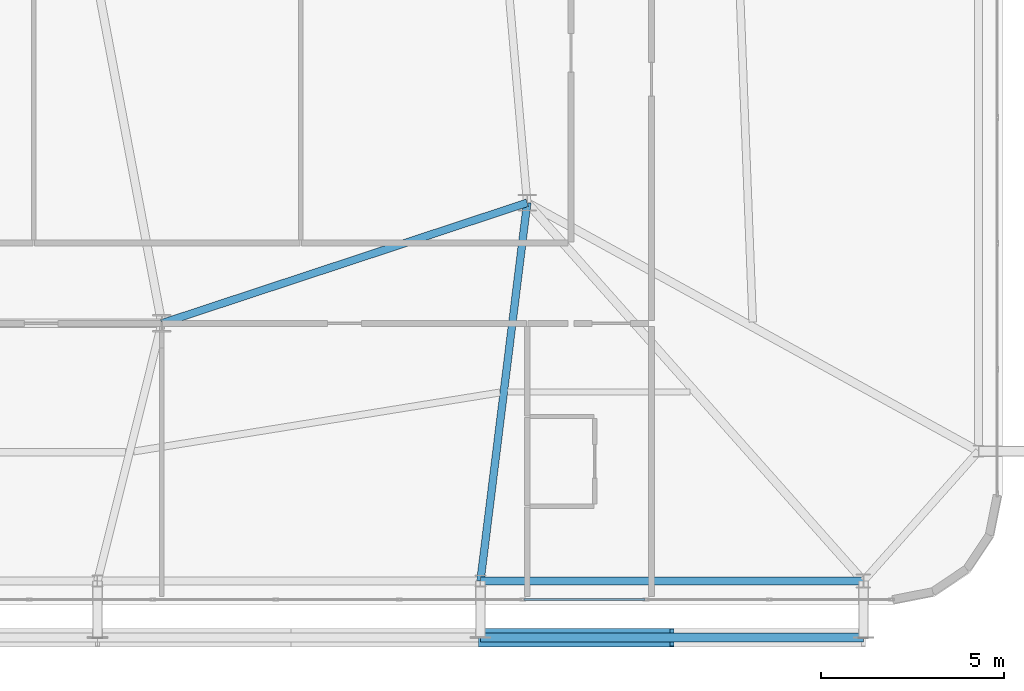
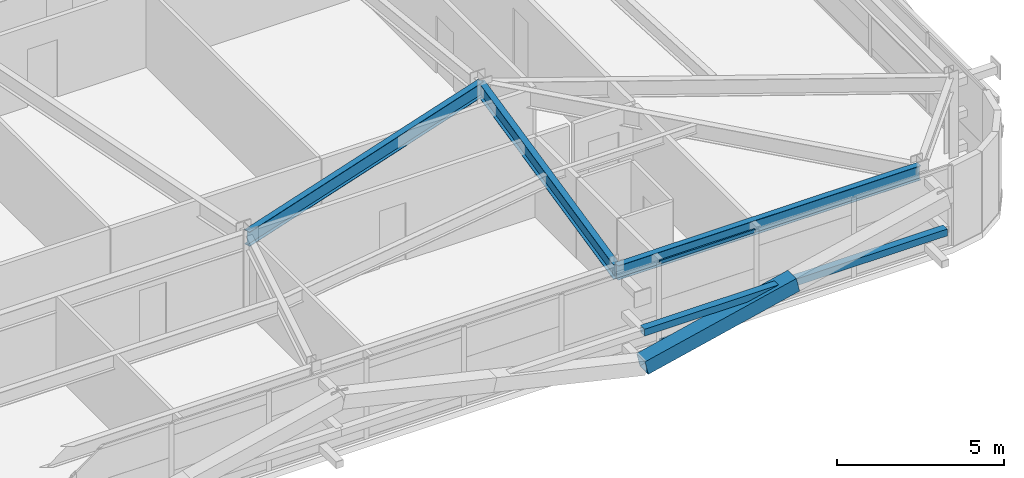
# One storey, part 22 of 58: 4 members, 3 beams, 1 element without a shape of its own.
"""IFC4 building model written with IfcOpenShell, lengths in metres."""

from ifc_helpers import new_model, si_unit, direction, frame, origin, origin_2d, place, context, subcontext, project, spatial, hollow_rectangle, i_section, extrude, source, transform, mapped, material, layer, layer_set, material_profile, profile_set, type_object, element, aggregate, save


model = new_model("IFC4")

# Units and contexts
model_context = context("Model", 3, precision=1e-05, world=origin(), true_north=direction((0.0, 1.0)))
body_context = subcontext(model_context, "Body", "Model", "MODEL_VIEW")
ifc_project = project(units=[si_unit("LENGTHUNIT", "METRE"), si_unit("AREAUNIT", "SQUARE_METRE"), si_unit("VOLUMEUNIT", "CUBIC_METRE"), si_unit("PLANEANGLEUNIT", "RADIAN"), si_unit("MASSUNIT", "GRAM", prefix="KILO")], contexts=[model_context])

# Site, building, storey
site_placement = place(None, origin())
site = spatial("IfcSite", under=ifc_project, at=site_placement, CompositionType="ELEMENT")
building_placement = place(site_placement, origin())
building = spatial("IfcBuilding", under=site, at=building_placement, Name="Taldren Reach Tower", CompositionType="ELEMENT")
storey_placement = place(building_placement, frame((0.0, 0.0, 35.699951171875)))
storey = spatial("IfcBuildingStorey", under=building, at=storey_placement, Name="L10", CompositionType="ELEMENT", Elevation=35.699951171875)

# Beams
ifc_material_1 = material(Name="Steel Gr 350 (350PLUS)", Category="steel")
ifc_material_profile_1 = material_profile(ifc_material_1, i_section(OverallWidth=0.208984375, OverallDepth=0.532958984375, WebThickness=0.01025390625, FlangeThickness=0.015625, at=origin_2d()), Name="530UB92.4")
ifc_profile_set_1 = profile_set([ifc_material_profile_1], Name="Steel Gr 350 (350PLUS)")
beam_type_1 = type_object("IfcBeamType", Name="BM-UB530A", PredefinedType="BEAM", material=ifc_profile_set_1)
shared_shape_1 = source(origin(), body_context, "Body", "SweptSolid", [
    extrude(i_section(OverallWidth=0.208984375, OverallDepth=0.532958984375, WebThickness=0.01025390625, FlangeThickness=0.015625, at=origin_2d()), origin(), (0.0, 0.0, 1.0), 10.530517578125),
])
beam_1_placement = place(storey_placement, frame((42.0, 9.199951171875, 2.66357421875), z_axis=(0.949627269203, 0.313381635689, 0.0), x_axis=(-0.313381635689, 0.949627269203, 0.0)))
element("IfcBeam", 1, at=beam_1_placement, inside=storey, type_object=beam_type_1, Name="Core-spine girder L10-SP12", PredefinedType="BEAM", context=body_context, shape_type="MappedRepresentation", body=[
    mapped(shared_shape_1, transform((0.0, 0.0, 0.0), scale=1.0)),
])
ifc_material_profile_2 = material_profile(ifc_material_1, i_section(OverallWidth=0.208984375, OverallDepth=0.528076171875, WebThickness=0.009521484375, FlangeThickness=0.01318359375, at=origin_2d()), Name="530UB82.0")
ifc_profile_set_2 = profile_set([ifc_material_profile_2], Name="Steel Gr 350 (350PLUS)")
beam_type_2 = type_object("IfcBeamType", Name="SP-UB530B", PredefinedType="SPANDREL", material=ifc_profile_set_2)
shared_shape_2 = source(origin(), body_context, "Body", "SweptSolid", [
    extrude(i_section(OverallWidth=0.208984375, OverallDepth=0.528076171875, WebThickness=0.009521484375, FlangeThickness=0.01318359375, at=origin_2d()), origin(), (0.0, 0.0, 1.0), 10.47998046875),
])
beam_2_placement = place(storey_placement, frame((50.719970703125, 2.14990234375, 2.666015625), z_axis=(1.0, 0.0, 0.0), x_axis=(0.0, 1.0, 0.0)))
element("IfcBeam", 2, at=beam_2_placement, inside=storey, type_object=beam_type_2, Name="Perimeter spandrel B1 S5-S6 L10", PredefinedType="SPANDREL", context=body_context, shape_type="MappedRepresentation", body=[
    mapped(shared_shape_2, transform((0.0, 0.0, 0.0), scale=1.0)),
])
shared_shape_3 = source(origin(), body_context, "Body", "SweptSolid", [
    extrude(i_section(OverallWidth=0.208984375, OverallDepth=0.532958984375, WebThickness=0.01025390625, FlangeThickness=0.015625, at=origin_2d()), origin(), (0.0, 0.0, 1.0), 10.428955078125),
])
beam_3_placement = place(storey_placement, frame((52.0, 12.5, 2.66357421875), z_axis=(-0.122738080664, -0.992439098159, 0.0), x_axis=(0.992439098159, -0.122738080664, 0.0)))
element("IfcBeam", 3, at=beam_3_placement, inside=storey, type_object=beam_type_1, Name="Primary floor girder B1-S5 L10", PredefinedType="BEAM", context=body_context, shape_type="MappedRepresentation", body=[
    mapped(shared_shape_3, transform((0.0, 0.0, 0.0), scale=1.0)),
])

# Members
ifc_material_2 = material(Name="Steel Gr 450 (C450L0)", Category="steel")
ifc_material_profile_3 = material_profile(ifc_material_2, hollow_rectangle(XDim=0.510009765625, YDim=0.510009765625, WallThickness=0.02001953125, at=origin_2d()), Name="510x510x20.0SHS")
ifc_profile_set_3 = profile_set([ifc_material_profile_3], Name="Steel Gr 450 (C450L0)")
member_type_1 = type_object("IfcMemberType", Name="MB-EXO508", PredefinedType="BRACE", material=ifc_profile_set_3)
shared_shape_4 = source(origin(), body_context, "Body", "SweptSolid", [
    extrude(hollow_rectangle(XDim=0.510009765625, YDim=0.510009765625, WallThickness=0.02001953125, at=origin_2d()), origin(), (0.0, 0.0, 1.0), 5.37890625),
])
member_1_placement = place(storey_placement, frame((50.719970703125, 0.60009765625, 0.219970703125), z_axis=(0.97415197996, 0.0, 0.225893603143), x_axis=(0.0, 1.0, 0.0)))
element("IfcMember", 4, at=member_1_placement, inside=storey, type_object=member_type_1, Name="Exoskeleton Diagrid Brace B1-S5 L10", PredefinedType="BRACE", context=body_context, shape_type="MappedRepresentation", body=[
    mapped(shared_shape_4, transform((0.0, 0.0, 0.0), scale=1.0)),
])
ifc_material_3 = material(Name="Steel Gr 350 (C350L0)", Category="steel")
ifc_material_profile_4 = material_profile(ifc_material_3, hollow_rectangle(XDim=0.25, YDim=0.25, WallThickness=0.010009765625, at=origin_2d()), Name="250x250x10.0SHS")
ifc_profile_set_4 = profile_set([ifc_material_profile_4], Name="Steel Gr 350 (C350L0)")
member_type_2 = type_object("IfcMemberType", Name="MB-POST250", PredefinedType="POST", material=ifc_profile_set_4)
shared_shape_5 = source(origin(), body_context, "Body", "SweptSolid", [
    extrude(hollow_rectangle(XDim=0.25, YDim=0.25, WallThickness=0.010009765625, at=origin_2d()), origin(), (0.0, 0.0, 1.0), 10.47998046875),
])
member_2_placement = place(storey_placement, frame((50.719970703125, 0.60009765625, 1.43505859375), z_axis=(1.0, 0.0, 0.0), x_axis=(0.0, 1.0, 0.0)))
element("IfcMember", 5, at=member_2_placement, inside=storey, type_object=member_type_2, Name="Exoskeleton mid-height ring chord B1-S5 L10", PredefinedType="POST", context=body_context, shape_type="MappedRepresentation", body=[
    mapped(shared_shape_5, transform((0.0, 0.0, 0.0), scale=1.0)),
])

# Curtain wall, members
ifc_material_4 = material(Name="Aluminium and Low-E Glass Unitised System", Category="aluminium")
ifc_layer = layer(ifc_material_4, 0.159912109375)
ifc_layer_set = layer_set([ifc_layer], Name="Aluminium and Low-E Glass Unitised System")
curtain_wall_type = type_object("IfcCurtainWallType", Name="CW-SYS-2", PredefinedType="NOTDEFINED", material=ifc_layer_set)
curtain_wall_placement = place(storey_placement, origin())
curtain_wall = element("IfcCurtainWall", 6, at=curtain_wall_placement, inside=storey, type_object=curtain_wall_type, Name="Unitised curtain wall CW-L10-S", PredefinedType="NOTDEFINED")
ifc_material_5 = material(Name="Anodised Aluminium 6063-T6", Category="aluminium")
ifc_material_profile_5 = material_profile(ifc_material_5, hollow_rectangle(XDim=0.054931640625, YDim=0.1201171875, WallThickness=0.0029296875, at=origin_2d()), Name="ALU-120x55x3RHS")
ifc_profile_set_5 = profile_set([ifc_material_profile_5], Name="Anodised Aluminium 6063-T6")
member_type_3 = type_object("IfcMemberType", Name="CW-TRN-135", PredefinedType="USERDEFINED", material=ifc_profile_set_5)
shared_shape_6 = source(origin(), body_context, "Body", "SweptSolid", [
    extrude(hollow_rectangle(XDim=0.054931640625, YDim=0.1201171875, WallThickness=0.0029296875, at=origin_2d()), origin(), (0.0, 0.0, 1.0), 3.31005859375),
])
member_3_placement = place(storey_placement, frame((51.907470703125, 1.639892578125, 0.027587890625), z_axis=(1.0, 0.0, 0.0), x_axis=(0.0, 1.0, 0.0)))
member_3 = element("IfcMember", 7, at=member_3_placement, type_object=member_type_3, Name="CW-2 transom 14.1", ObjectType="TRANSOM", PredefinedType="USERDEFINED", context=body_context, shape_type="MappedRepresentation", body=[
    mapped(shared_shape_6, transform((0.0, 0.0, 0.0), scale=1.0)),
])
member_4_placement = place(storey_placement, frame((51.907470703125, 1.639892578125, 2.902587890625), z_axis=(1.0, 0.0, 0.0), x_axis=(0.0, 1.0, 0.0)))
member_4 = element("IfcMember", 8, at=member_4_placement, type_object=member_type_3, Name="CW-2 transom 14.2", ObjectType="TRANSOM", PredefinedType="USERDEFINED", context=body_context, shape_type="MappedRepresentation", body=[
    mapped(shared_shape_6, transform((0.0, 0.0, 0.0), scale=1.0)),
])
aggregate(curtain_wall, [member_3, member_4])

save(model, "model.ifc")
